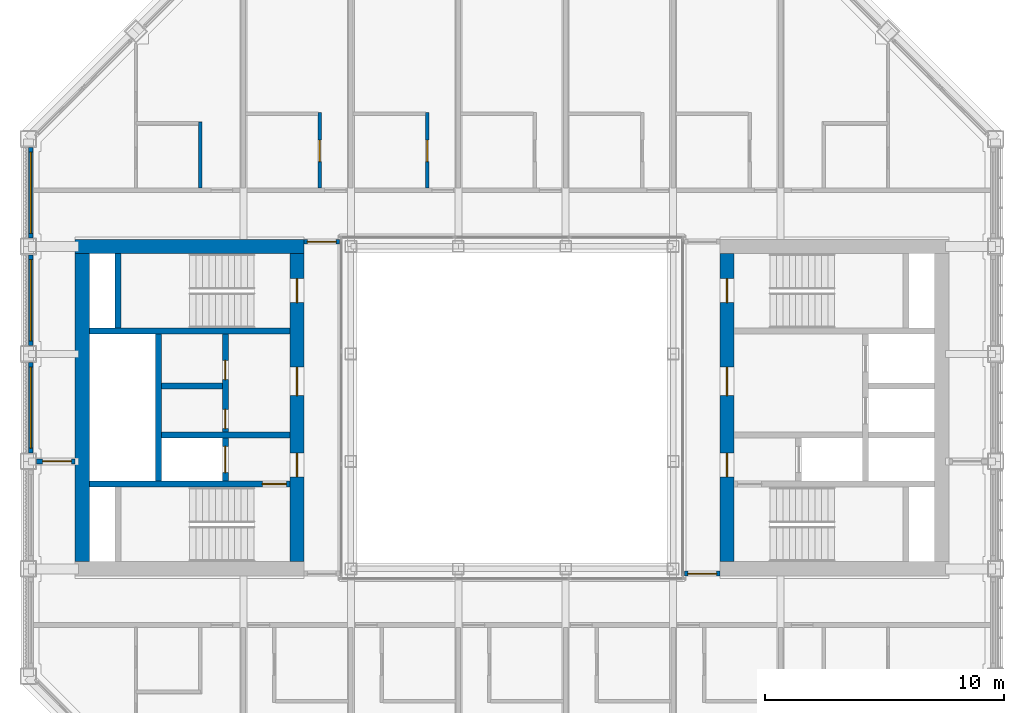
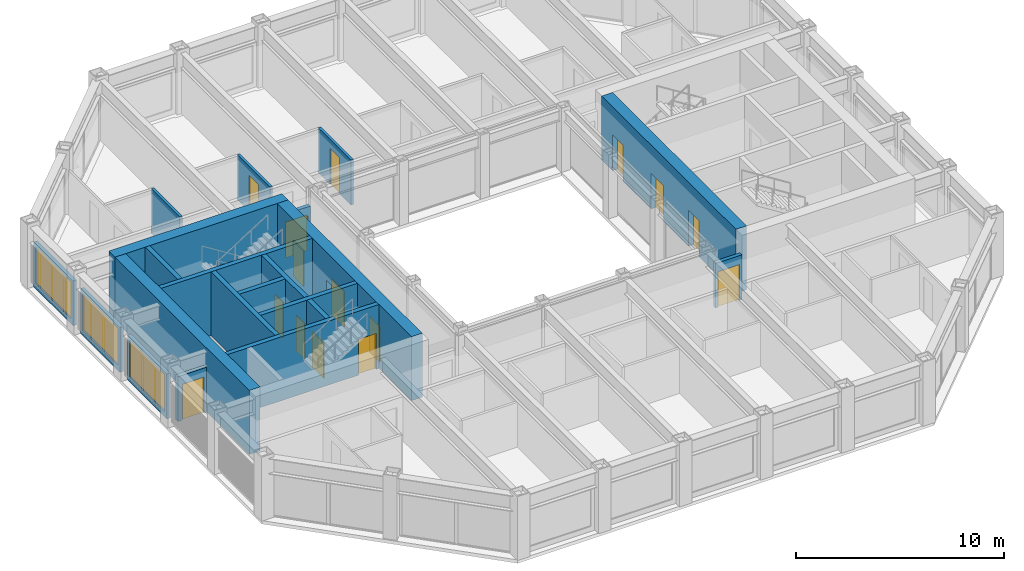
# One storey, part 10 of 18: 20 walls, 15 doors, 3 windows, 18 openings.
"""IFC4 building model written with IfcOpenShell, lengths in metres."""

from ifc_helpers import new_model, si_unit, direction, frame, frame_2d, origin, place, context, subcontext, project, spatial, rectangle, extrude, material, layer, layer_set, type_object, element, fill, save


model = new_model("IFC4")

# Units and contexts
model_context = context("Model", 3, precision=1e-05, world=origin(), true_north=direction((0.0, 1.0)))
body_context = subcontext(model_context, "Body", "Model", "MODEL_VIEW")
ifc_project = project(units=[si_unit("LENGTHUNIT", "METRE"), si_unit("AREAUNIT", "SQUARE_METRE"), si_unit("VOLUMEUNIT", "CUBIC_METRE"), si_unit("PLANEANGLEUNIT", "RADIAN"), si_unit("MASSUNIT", "GRAM", prefix="KILO")], contexts=[model_context])

# Site, building, storey
site_placement = place(None, origin())
site = spatial("IfcSite", under=ifc_project, at=site_placement, CompositionType="ELEMENT")
building_placement = place(site_placement, origin())
building = spatial("IfcBuilding", under=site, at=building_placement, Name="Msasa Ring Tower", CompositionType="ELEMENT")
storey_placement = place(building_placement, frame((0.0, 0.0, 208.300048828125)))
storey = spatial("IfcBuildingStorey", under=building, at=storey_placement, Name="L54", CompositionType="ELEMENT", Elevation=208.300048828125)

# Wall, openings, doors
ifc_material_1 = material(Name="Concrete C60/75", Category="concrete")
ifc_layer_1 = layer(ifc_material_1, 0.60009765625)
ifc_layer_set_1 = layer_set([ifc_layer_1], Name="CW3 CORE WALL 600")
wall_type_1 = type_object("IfcWallType", Name="CW3 CORE WALL 600", PredefinedType="SHEAR", material=ifc_layer_set_1)
wall_1_placement = place(storey_placement, frame((9.0, -6.449951171875, 0.0), z_axis=(0.0, 0.0, 1.0), x_axis=(0.0, 1.0, 0.0)))
wall_1 = element("IfcWall", 1, at=wall_1_placement, inside=storey, type_object=wall_type_1, Name="E core wall W L54", PredefinedType="SHEAR", context=body_context, shape_type="SweptSolid", body=[
    extrude(rectangle(XDim=12.89990234375, YDim=0.60009765625, at=frame_2d((6.449951171875, 0.0))), origin(), (0.0, 0.0, 1.0), 3.75),
])
opening_1_placement = place(wall_1_placement, frame((3.550048828125, 0.0, 0.0)))
opening_1 = element("IfcOpeningElement", 2, at=opening_1_placement, cuts=wall_1, Name="Opening SA-028", PredefinedType="OPENING", context=body_context, shape_type="SweptSolid", body=[
    extrude(rectangle(XDim=1.0, YDim=2.10009765625, at=frame_2d((0.5, 1.050048828125))), frame((0.0, 0.31005859375, 0.0), z_axis=(0.0, -1.0, 0.0), x_axis=(1.0, 0.0, 0.0)), (0.0, 0.0, 1.0), 0.6201171875),
])
opening_2_placement = place(wall_1_placement, frame((6.949951171875, 0.0, 0.0)))
opening_2 = element("IfcOpeningElement", 3, at=opening_2_placement, cuts=wall_1, Name="Opening SA-023", PredefinedType="OPENING", context=body_context, shape_type="SweptSolid", body=[
    extrude(rectangle(XDim=1.199951171875, YDim=2.10009765625, at=frame_2d((0.60009765625, 1.050048828125))), frame((0.0, 0.31005859375, 0.0), z_axis=(0.0, -1.0, 0.0), x_axis=(1.0, 0.0, 0.0)), (0.0, 0.0, 1.0), 0.6201171875),
])
opening_3_placement = place(wall_1_placement, frame((10.85009765625, 0.0, 0.0)))
opening_3 = element("IfcOpeningElement", 4, at=opening_3_placement, cuts=wall_1, Name="Opening SA-020", PredefinedType="OPENING", context=body_context, shape_type="SweptSolid", body=[
    extrude(rectangle(XDim=1.0, YDim=2.10009765625, at=frame_2d((0.5, 1.050048828125))), frame((0.0, 0.31005859375, 0.0), z_axis=(0.0, -1.0, 0.0), x_axis=(1.0, 0.0, 0.0)), (0.0, 0.0, 1.0), 0.6201171875),
])
ifc_material_2 = material(Name="Timber door leaf in a steel frame", Category="steel")
door_type_1 = type_object("IfcDoorType", Name="D4 LOBBY DOOR 1000x2100", OperationType="SINGLE_SWING_LEFT", PredefinedType="DOOR", material=ifc_material_2)
door_1_placement = place(opening_1_placement, origin())
door_1 = element("IfcDoor", 5, at=door_1_placement, inside=storey, type_object=door_type_1, Name="Door L54-EFFL", OperationType="SINGLE_SWING_LEFT", OverallHeight=2.10009765625, OverallWidth=1.0, PredefinedType="DOOR", context=body_context, shape_type="SweptSolid", body=[
    extrude(rectangle(XDim=1.0, YDim=2.10009765625, at=frame_2d((0.5, 1.050048828125))), frame((0.0, 0.02490234375, 0.0), z_axis=(0.0, -1.0, 0.0), x_axis=(1.0, 0.0, 0.0)), (0.0, 0.0, 1.0), 0.050048828125),
])
fill(opening_1, door_1)
ifc_material_3 = material(Name="Timber door leaf in a steel frame", Category="steel")
door_type_2 = type_object("IfcDoorType", Name="D5 WIDE LOBBY DOOR 1200x2100", OperationType="SINGLE_SWING_LEFT", PredefinedType="DOOR", material=ifc_material_3)
door_2_placement = place(opening_2_placement, origin())
door_2 = element("IfcDoor", 6, at=door_2_placement, inside=storey, type_object=door_type_2, Name="Door L54-ELL", OperationType="SINGLE_SWING_RIGHT", OverallHeight=2.10009765625, OverallWidth=1.199951171875, PredefinedType="DOOR", context=body_context, shape_type="SweptSolid", body=[
    extrude(rectangle(XDim=1.199951171875, YDim=2.10009765625, at=frame_2d((0.60009765625, 1.050048828125))), frame((0.0, 0.02490234375, 0.0), z_axis=(0.0, -1.0, 0.0), x_axis=(1.0, 0.0, 0.0)), (0.0, 0.0, 1.0), 0.050048828125),
])
fill(opening_2, door_2)
ifc_material_4 = material(Name="Timber door leaf in a steel frame", Category="steel")
door_type_3 = type_object("IfcDoorType", Name="D6 STAIR DOOR 1000x2100", OperationType="SINGLE_SWING_LEFT", PredefinedType="DOOR", material=ifc_material_4)
door_3_placement = place(opening_3_placement, origin())
door_3 = element("IfcDoor", 7, at=door_3_placement, inside=storey, type_object=door_type_3, Name="Door L54-ESTB", OperationType="SINGLE_SWING_RIGHT", OverallHeight=2.10009765625, OverallWidth=1.0, PredefinedType="DOOR", context=body_context, shape_type="SweptSolid", body=[
    extrude(rectangle(XDim=1.0, YDim=2.10009765625, at=frame_2d((0.5, 1.050048828125))), frame((0.0, 0.02490234375, 0.0), z_axis=(0.0, -1.0, 0.0), x_axis=(1.0, 0.0, 0.0)), (0.0, 0.0, 1.0), 0.050048828125),
])
fill(opening_3, door_3)

# Wall
wall_2_placement = place(storey_placement, frame((-8.699951171875, 6.75, 0.0), z_axis=(0.0, 0.0, 1.0), x_axis=(-1.0, 0.0, 0.0)))
element("IfcWall", 8, at=wall_2_placement, inside=storey, type_object=wall_type_1, Name="W core wall N L54", PredefinedType="SHEAR", context=body_context, shape_type="SweptSolid", body=[
    extrude(rectangle(XDim=9.60009765625, YDim=0.60009765625, at=frame_2d((4.800048828125, 0.0))), origin(), (0.0, 0.0, 1.0), 3.75),
])

# Wall, openings, doors
wall_3_placement = place(storey_placement, frame((-9.0, -6.449951171875, 0.0), z_axis=(0.0, 0.0, 1.0), x_axis=(0.0, 1.0, 0.0)))
wall_3 = element("IfcWall", 9, at=wall_3_placement, inside=storey, type_object=wall_type_1, Name="W core wall W L54", PredefinedType="SHEAR", context=body_context, shape_type="SweptSolid", body=[
    extrude(rectangle(XDim=12.89990234375, YDim=0.60009765625, at=frame_2d((6.449951171875, 0.0))), origin(), (0.0, 0.0, 1.0), 3.75),
])
opening_4_placement = place(wall_3_placement, frame((3.550048828125, 0.0, 0.0)))
opening_4 = element("IfcOpeningElement", 10, at=opening_4_placement, cuts=wall_3, Name="Opening SA-027", PredefinedType="OPENING", context=body_context, shape_type="SweptSolid", body=[
    extrude(rectangle(XDim=1.0, YDim=2.10009765625, at=frame_2d((0.5, 1.050048828125))), frame((0.0, 0.31005859375, 0.0), z_axis=(0.0, -1.0, 0.0), x_axis=(1.0, 0.0, 0.0)), (0.0, 0.0, 1.0), 0.6201171875),
])
opening_5_placement = place(wall_3_placement, frame((6.949951171875, 0.0, 0.0)))
opening_5 = element("IfcOpeningElement", 11, at=opening_5_placement, cuts=wall_3, Name="Opening SA-022", PredefinedType="OPENING", context=body_context, shape_type="SweptSolid", body=[
    extrude(rectangle(XDim=1.199951171875, YDim=2.10009765625, at=frame_2d((0.60009765625, 1.050048828125))), frame((0.0, 0.31005859375, 0.0), z_axis=(0.0, -1.0, 0.0), x_axis=(1.0, 0.0, 0.0)), (0.0, 0.0, 1.0), 0.6201171875),
])
opening_6_placement = place(wall_3_placement, frame((10.85009765625, 0.0, 0.0)))
opening_6 = element("IfcOpeningElement", 12, at=opening_6_placement, cuts=wall_3, Name="Opening SA-019", PredefinedType="OPENING", context=body_context, shape_type="SweptSolid", body=[
    extrude(rectangle(XDim=1.0, YDim=2.10009765625, at=frame_2d((0.5, 1.050048828125))), frame((0.0, 0.31005859375, 0.0), z_axis=(0.0, -1.0, 0.0), x_axis=(1.0, 0.0, 0.0)), (0.0, 0.0, 1.0), 0.6201171875),
])
door_4_placement = place(opening_4_placement, origin())
door_4 = element("IfcDoor", 13, at=door_4_placement, inside=storey, type_object=door_type_1, Name="Door L54-WFFL", OperationType="SINGLE_SWING_LEFT", OverallHeight=2.10009765625, OverallWidth=1.0, PredefinedType="DOOR", context=body_context, shape_type="SweptSolid", body=[
    extrude(rectangle(XDim=1.0, YDim=2.10009765625, at=frame_2d((0.5, 1.050048828125))), frame((0.0, 0.02490234375, 0.0), z_axis=(0.0, -1.0, 0.0), x_axis=(1.0, 0.0, 0.0)), (0.0, 0.0, 1.0), 0.050048828125),
])
fill(opening_4, door_4)
door_5_placement = place(opening_5_placement, origin())
door_5 = element("IfcDoor", 14, at=door_5_placement, inside=storey, type_object=door_type_2, Name="Door L54-WLL", OperationType="SINGLE_SWING_RIGHT", OverallHeight=2.10009765625, OverallWidth=1.199951171875, PredefinedType="DOOR", context=body_context, shape_type="SweptSolid", body=[
    extrude(rectangle(XDim=1.199951171875, YDim=2.10009765625, at=frame_2d((0.60009765625, 1.050048828125))), frame((0.0, 0.02490234375, 0.0), z_axis=(0.0, -1.0, 0.0), x_axis=(1.0, 0.0, 0.0)), (0.0, 0.0, 1.0), 0.050048828125),
])
fill(opening_5, door_5)
door_6_placement = place(opening_6_placement, origin())
door_6 = element("IfcDoor", 15, at=door_6_placement, inside=storey, type_object=door_type_3, Name="Door L54-WSTB", OperationType="SINGLE_SWING_RIGHT", OverallHeight=2.10009765625, OverallWidth=1.0, PredefinedType="DOOR", context=body_context, shape_type="SweptSolid", body=[
    extrude(rectangle(XDim=1.0, YDim=2.10009765625, at=frame_2d((0.5, 1.050048828125))), frame((0.0, 0.02490234375, 0.0), z_axis=(0.0, -1.0, 0.0), x_axis=(1.0, 0.0, 0.0)), (0.0, 0.0, 1.0), 0.050048828125),
])
fill(opening_6, door_6)

# Wall
wall_4_placement = place(storey_placement, frame((-18.0, -6.449951171875, 0.0), z_axis=(0.0, 0.0, 1.0), x_axis=(0.0, 1.0, 0.0)))
element("IfcWall", 16, at=wall_4_placement, inside=storey, type_object=wall_type_1, Name="W core wall E L54", PredefinedType="SHEAR", context=body_context, shape_type="SweptSolid", body=[
    extrude(rectangle(XDim=12.89990234375, YDim=0.60009765625, at=frame_2d((6.449951171875, 0.0))), origin(), (0.0, 0.0, 1.0), 3.75),
])

# Wall, opening, door
ifc_material_5 = material(Name="Concrete C60/75", Category="concrete")
ifc_layer_2 = layer(ifc_material_5, 0.25)
ifc_layer_set_2 = layer_set([ifc_layer_2], Name="CW4 CORE INNER WALL 250")
wall_type_2 = type_object("IfcWallType", Name="CW4 CORE INNER WALL 250", PredefinedType="SHEAR", material=ifc_layer_set_2)
wall_5_placement = place(storey_placement, frame((-9.300048828125, -3.199951171875, 0.0), z_axis=(0.0, 0.0, 1.0), x_axis=(-1.0, 0.0, 0.0)))
wall_5 = element("IfcWall", 17, at=wall_5_placement, inside=storey, type_object=wall_type_2, Name="W core wall STAIRA L54", PredefinedType="SHEAR", context=body_context, shape_type="SweptSolid", body=[
    extrude(rectangle(XDim=8.39990234375, YDim=0.25, at=frame_2d((4.199951171875, 0.0))), origin(), (0.0, 0.0, 1.0), 3.75),
])
opening_7_placement = place(wall_5_placement, frame((0.14990234375, 0.0, 0.0)))
opening_7 = element("IfcOpeningElement", 18, at=opening_7_placement, cuts=wall_5, Name="Opening SA-029", PredefinedType="OPENING", context=body_context, shape_type="SweptSolid", body=[
    extrude(rectangle(XDim=1.0, YDim=2.10009765625, at=frame_2d((0.5, 1.050048828125))), frame((0.0, 0.135009765625, 0.0), z_axis=(0.0, -1.0, 0.0), x_axis=(1.0, 0.0, 0.0)), (0.0, 0.0, 1.0), 0.27001953125),
])
door_7_placement = place(opening_7_placement, origin())
door_7 = element("IfcDoor", 19, at=door_7_placement, inside=storey, type_object=door_type_3, Name="Door L54-WSTA", OperationType="SINGLE_SWING_LEFT", OverallHeight=2.10009765625, OverallWidth=1.0, PredefinedType="DOOR", context=body_context, shape_type="SweptSolid", body=[
    extrude(rectangle(XDim=1.0, YDim=2.10009765625, at=frame_2d((0.5, 1.050048828125))), frame((0.0, 0.02490234375, 0.0), z_axis=(0.0, -1.0, 0.0), x_axis=(1.0, 0.0, 0.0)), (0.0, 0.0, 1.0), 0.050048828125),
])
fill(opening_7, door_7)

# Walls
wall_6_placement = place(storey_placement, frame((-9.300048828125, 3.199951171875, 0.0), z_axis=(0.0, 0.0, 1.0), x_axis=(-1.0, 0.0, 0.0)))
element("IfcWall", 20, at=wall_6_placement, inside=storey, type_object=wall_type_2, Name="W core wall STAIRB L54", PredefinedType="SHEAR", context=body_context, shape_type="SweptSolid", body=[
    extrude(rectangle(XDim=8.39990234375, YDim=0.25, at=frame_2d((4.199951171875, 0.0))), origin(), (0.0, 0.0, 1.0), 3.75),
])
wall_7_placement = place(storey_placement, frame((-16.5, 3.324951171875, 0.0), z_axis=(0.0, 0.0, 1.0), x_axis=(0.0, 1.0, 0.0)))
element("IfcWall", 21, at=wall_7_placement, inside=storey, type_object=wall_type_2, Name="W core wall RISERB L54", PredefinedType="SHEAR", context=body_context, shape_type="SweptSolid", body=[
    extrude(rectangle(XDim=3.125, YDim=0.25, at=frame_2d((1.5625, 0.0))), origin(), (0.0, 0.0, 1.0), 3.75),
])
wall_8_placement = place(storey_placement, frame((-9.300048828125, -1.14990234375, 0.0), z_axis=(0.0, 0.0, 1.0), x_axis=(-1.0, 0.0, 0.0)))
element("IfcWall", 22, at=wall_8_placement, inside=storey, type_object=wall_type_2, Name="W core wall FFL L54", PredefinedType="SHEAR", context=body_context, shape_type="SweptSolid", body=[
    extrude(rectangle(XDim=5.375, YDim=0.25, at=frame_2d((2.6875, 0.0))), origin(), (0.0, 0.0, 1.0), 3.75),
])

# Wall, openings, doors
wall_9_placement = place(storey_placement, frame((-12.0, -3.074951171875, 0.0), z_axis=(0.0, 0.0, 1.0), x_axis=(0.0, 1.0, 0.0)))
wall_9 = element("IfcWall", 23, at=wall_9_placement, inside=storey, type_object=wall_type_2, Name="W core wall LOBBY L54", PredefinedType="SHEAR", context=body_context, shape_type="SweptSolid", body=[
    extrude(rectangle(XDim=6.14990234375, YDim=0.25, at=frame_2d((3.074951171875, 0.0))), origin(), (0.0, 0.0, 1.0), 3.75),
])
opening_8_placement = place(wall_9_placement, frame((2.199951171875, 0.0, 0.0)))
opening_8 = element("IfcOpeningElement", 24, at=opening_8_placement, cuts=wall_9, Name="Opening SA-024", PredefinedType="OPENING", context=body_context, shape_type="SweptSolid", body=[
    extrude(rectangle(XDim=0.800048828125, YDim=2.10009765625, at=frame_2d((0.39990234375, 1.050048828125))), frame((0.0, 0.135009765625, 0.0), z_axis=(0.0, -1.0, 0.0), x_axis=(1.0, 0.0, 0.0)), (0.0, 0.0, 1.0), 0.27001953125),
])
opening_9_placement = place(wall_9_placement, frame((4.25, 0.0, 0.0)))
opening_9 = element("IfcOpeningElement", 25, at=opening_9_placement, cuts=wall_9, Name="Opening SA-021", PredefinedType="OPENING", context=body_context, shape_type="SweptSolid", body=[
    extrude(rectangle(XDim=0.800048828125, YDim=2.10009765625, at=frame_2d((0.39990234375, 1.050048828125))), frame((0.0, 0.135009765625, 0.0), z_axis=(0.0, -1.0, 0.0), x_axis=(1.0, 0.0, 0.0)), (0.0, 0.0, 1.0), 0.27001953125),
])
opening_10_placement = place(wall_9_placement, frame((0.35009765625, 0.0, 0.0)))
opening_10 = element("IfcOpeningElement", 26, at=opening_10_placement, cuts=wall_9, Name="Opening LD1", PredefinedType="OPENING", context=body_context, shape_type="SweptSolid", body=[
    extrude(rectangle(XDim=1.10009765625, YDim=2.10009765625, at=frame_2d((0.550048828125, 1.050048828125))), frame((0.0, 0.135009765625, 0.0), z_axis=(0.0, -1.0, 0.0), x_axis=(1.0, 0.0, 0.0)), (0.0, 0.0, 1.0), 0.27001953125),
])
ifc_material_6 = material(Name="Timber door leaf in a steel frame", Category="steel")
door_type_4 = type_object("IfcDoorType", Name="D9 NARROW SERVICE DOOR 800x2100", OperationType="SINGLE_SWING_LEFT", PredefinedType="DOOR", material=ifc_material_6)
door_8_placement = place(opening_8_placement, origin())
door_8 = element("IfcDoor", 27, at=door_8_placement, inside=storey, type_object=door_type_4, Name="Door L54-WR1", OperationType="SINGLE_SWING_LEFT", OverallHeight=2.10009765625, OverallWidth=0.800048828125, PredefinedType="DOOR", context=body_context, shape_type="SweptSolid", body=[
    extrude(rectangle(XDim=0.800048828125, YDim=2.10009765625, at=frame_2d((0.39990234375, 1.050048828125))), frame((0.0, 0.02490234375, 0.0), z_axis=(0.0, -1.0, 0.0), x_axis=(1.0, 0.0, 0.0)), (0.0, 0.0, 1.0), 0.050048828125),
])
fill(opening_8, door_8)
door_9_placement = place(opening_9_placement, origin())
door_9 = element("IfcDoor", 28, at=door_9_placement, inside=storey, type_object=door_type_4, Name="Door L54-WR2", OperationType="SINGLE_SWING_RIGHT", OverallHeight=2.10009765625, OverallWidth=0.800048828125, PredefinedType="DOOR", context=body_context, shape_type="SweptSolid", body=[
    extrude(rectangle(XDim=0.800048828125, YDim=2.10009765625, at=frame_2d((0.39990234375, 1.050048828125))), frame((0.0, 0.02490234375, 0.0), z_axis=(0.0, -1.0, 0.0), x_axis=(1.0, 0.0, 0.0)), (0.0, 0.0, 1.0), 0.050048828125),
])
fill(opening_9, door_9)
ifc_material_7 = material(Name="Stainless steel lift landing door", Category="steel")
door_type_5 = type_object("IfcDoorType", Name="LD1 LIFT LANDING DOOR 1100x2100", OperationType="DOUBLE_DOOR_SLIDING", PredefinedType="DOOR", material=ifc_material_7)
door_10_placement = place(opening_10_placement, origin())
door_10 = element("IfcDoor", 29, at=door_10_placement, inside=storey, type_object=door_type_5, Name="Lift landing door FL-W L54", OperationType="DOUBLE_DOOR_SLIDING", OverallHeight=2.10009765625, OverallWidth=1.10009765625, PredefinedType="DOOR", context=body_context, shape_type="SweptSolid", body=[
    extrude(rectangle(XDim=1.10009765625, YDim=2.10009765625, at=frame_2d((0.550048828125, 1.050048828125))), frame((0.0, 0.02490234375, 0.0), z_axis=(0.0, -1.0, 0.0), x_axis=(1.0, 0.0, 0.0)), (0.0, 0.0, 1.0), 0.050048828125),
])
fill(opening_10, door_10)

# Walls
wall_10_placement = place(storey_placement, frame((-14.800048828125, -3.074951171875, 0.0), z_axis=(0.0, 0.0, 1.0), x_axis=(0.0, 1.0, 0.0)))
element("IfcWall", 30, at=wall_10_placement, inside=storey, type_object=wall_type_2, Name="W core wall SHAFT L54", PredefinedType="SHEAR", context=body_context, shape_type="SweptSolid", body=[
    extrude(rectangle(XDim=6.14990234375, YDim=0.25, at=frame_2d((3.074951171875, 0.0))), origin(), (0.0, 0.0, 1.0), 3.75),
])
wall_11_placement = place(storey_placement, frame((-12.125, 0.89990234375, 0.0), z_axis=(0.0, 0.0, 1.0), x_axis=(-1.0, 0.0, 0.0)))
element("IfcWall", 31, at=wall_11_placement, inside=storey, type_object=wall_type_2, Name="W core wall LIFT1 L54", PredefinedType="SHEAR", context=body_context, shape_type="SweptSolid", body=[
    extrude(rectangle(XDim=2.550048828125, YDim=0.25, at=frame_2d((1.27490234375, 0.0))), origin(), (0.0, 0.0, 1.0), 3.75),
])

# Wall, opening, window
ifc_material_8 = material(Name="Terracotta rainscreen on blockwork", Category="masonry")
ifc_layer_3 = layer(ifc_material_8, 0.199951171875)
ifc_layer_set_3 = layer_set([ifc_layer_3], Name="FW1 TERRACOTTA-LINED INFILL BAY WALL 200")
wall_type_3 = type_object("IfcWallType", Name="FW1 TERRACOTTA-LINED INFILL BAY WALL 200", PredefinedType="SOLIDWALL", material=ifc_layer_set_3)
wall_12_placement = place(storey_placement, frame((-20.14990234375, -1.89501953125, 0.0), z_axis=(0.0, 0.0, 1.0), x_axis=(0.0, 1.0, 0.0)))
wall_12 = element("IfcWall", 32, at=wall_12_placement, inside=storey, type_object=wall_type_3, Name="Infill bay wall W L54 23", PredefinedType="SOLIDWALL", context=body_context, shape_type="SweptSolid", body=[
    extrude(rectangle(XDim=3.7900390625, YDim=0.199951171875, at=frame_2d((1.89501953125, 0.0))), origin(), (0.0, 0.0, 1.0), 2.62890625),
])
opening_11_placement = place(wall_12_placement, frame((0.195068359375, 0.0, 0.300048828125)))
opening_11 = element("IfcOpeningElement", 33, at=opening_11_placement, cuts=wall_12, Name="Opening WN3", PredefinedType="OPENING", context=body_context, shape_type="SweptSolid", body=[
    extrude(rectangle(XDim=3.39990234375, YDim=2.178955078125, at=frame_2d((1.699951171875, 1.08935546875))), frame((0.0, 0.10986328125, 0.0), z_axis=(0.0, -1.0, 0.0), x_axis=(1.0, 0.0, 0.0)), (0.0, 0.0, 1.0), 0.219970703125),
])
ifc_material_9 = material(Name="Aluminium frame with clear glass", Category="aluminium")
window_type = type_object("IfcWindowType", Name="WN3 SUITE WINDOW 3400x2179", PartitioningType="SINGLE_PANEL", PredefinedType="WINDOW", material=ifc_material_9)
window_1_placement = place(opening_11_placement, origin())
window_1 = element("IfcWindow", 34, at=window_1_placement, inside=storey, type_object=window_type, Name="Window W L54 23", OverallHeight=2.178955078125, OverallWidth=3.39990234375, PartitioningType="SINGLE_PANEL", PredefinedType="WINDOW", context=body_context, shape_type="SweptSolid", body=[
    extrude(rectangle(XDim=3.39990234375, YDim=2.178955078125, at=frame_2d((1.699951171875, 1.08935546875))), frame((0.0, 0.030029296875, 0.0), z_axis=(0.0, -1.0, 0.0), x_axis=(1.0, 0.0, 0.0)), (0.0, 0.0, 1.0), 0.06005859375),
])
fill(opening_11, window_1)

wall_13_placement = place(storey_placement, frame((-20.14990234375, 2.60498046875, 0.0), z_axis=(0.0, 0.0, 1.0), x_axis=(0.0, 1.0, 0.0)))
wall_13 = element("IfcWall", 35, at=wall_13_placement, inside=storey, type_object=wall_type_3, Name="Infill bay wall W L54 24", PredefinedType="SOLIDWALL", context=body_context, shape_type="SweptSolid", body=[
    extrude(rectangle(XDim=3.7900390625, YDim=0.199951171875, at=frame_2d((1.89501953125, 0.0))), origin(), (0.0, 0.0, 1.0), 2.62890625),
])
opening_12_placement = place(wall_13_placement, frame((0.195068359375, 0.0, 0.300048828125)))
opening_12 = element("IfcOpeningElement", 36, at=opening_12_placement, cuts=wall_13, Name="Opening WN3", PredefinedType="OPENING", context=body_context, shape_type="SweptSolid", body=[
    extrude(rectangle(XDim=3.39990234375, YDim=2.178955078125, at=frame_2d((1.699951171875, 1.08935546875))), frame((0.0, 0.10986328125, 0.0), z_axis=(0.0, -1.0, 0.0), x_axis=(1.0, 0.0, 0.0)), (0.0, 0.0, 1.0), 0.219970703125),
])
window_2_placement = place(opening_12_placement, origin())
window_2 = element("IfcWindow", 37, at=window_2_placement, inside=storey, type_object=window_type, Name="Window W L54 24", OverallHeight=2.178955078125, OverallWidth=3.39990234375, PartitioningType="SINGLE_PANEL", PredefinedType="WINDOW", context=body_context, shape_type="SweptSolid", body=[
    extrude(rectangle(XDim=3.39990234375, YDim=2.178955078125, at=frame_2d((1.699951171875, 1.08935546875))), frame((0.0, 0.030029296875, 0.0), z_axis=(0.0, -1.0, 0.0), x_axis=(1.0, 0.0, 0.0)), (0.0, 0.0, 1.0), 0.06005859375),
])
fill(opening_12, window_2)

wall_14_placement = place(storey_placement, frame((-20.14990234375, 7.10498046875, 0.0), z_axis=(0.0, 0.0, 1.0), x_axis=(0.0, 1.0, 0.0)))
wall_14 = element("IfcWall", 38, at=wall_14_placement, inside=storey, type_object=wall_type_3, Name="Infill bay wall W L54 25", PredefinedType="SOLIDWALL", context=body_context, shape_type="SweptSolid", body=[
    extrude(rectangle(XDim=3.7900390625, YDim=0.199951171875, at=frame_2d((1.89501953125, 0.0))), origin(), (0.0, 0.0, 1.0), 2.62890625),
])
opening_13_placement = place(wall_14_placement, frame((0.195068359375, 0.0, 0.300048828125)))
opening_13 = element("IfcOpeningElement", 39, at=opening_13_placement, cuts=wall_14, Name="Opening WN3", PredefinedType="OPENING", context=body_context, shape_type="SweptSolid", body=[
    extrude(rectangle(XDim=3.39990234375, YDim=2.178955078125, at=frame_2d((1.699951171875, 1.08935546875))), frame((0.0, 0.10986328125, 0.0), z_axis=(0.0, -1.0, 0.0), x_axis=(1.0, 0.0, 0.0)), (0.0, 0.0, 1.0), 0.219970703125),
])
window_3_placement = place(opening_13_placement, origin())
window_3 = element("IfcWindow", 40, at=window_3_placement, inside=storey, type_object=window_type, Name="Window W L54 25", OverallHeight=2.178955078125, OverallWidth=3.39990234375, PartitioningType="SINGLE_PANEL", PredefinedType="WINDOW", context=body_context, shape_type="SweptSolid", body=[
    extrude(rectangle(XDim=3.39990234375, YDim=2.178955078125, at=frame_2d((1.699951171875, 1.08935546875))), frame((0.0, 0.030029296875, 0.0), z_axis=(0.0, -1.0, 0.0), x_axis=(1.0, 0.0, 0.0)), (0.0, 0.0, 1.0), 0.06005859375),
])
fill(opening_13, window_3)

# Wall, opening, door
ifc_material_10 = material(Name="Concrete blockwork", Category="masonry")
ifc_layer_4 = layer(ifc_material_10, 0.199951171875)
ifc_layer_set_4 = layer_set([ifc_layer_4], Name="PT1 CORRIDOR WALL 200")
wall_type_4 = type_object("IfcWallType", Name="PT1 CORRIDOR WALL 200", PredefinedType="PARTITIONING", material=ifc_layer_set_4)
wall_15_placement = place(storey_placement, frame((-19.89990234375, -2.25, 0.0), z_axis=(0.0, 0.0, 1.0), x_axis=(1.0, 0.0, 0.0)))
wall_15 = element("IfcWall", 41, at=wall_15_placement, inside=storey, type_object=wall_type_4, Name="Corridor wall L54-WSW", PredefinedType="PARTITIONING", context=body_context, shape_type="SweptSolid", body=[
    extrude(rectangle(XDim=1.599853515625, YDim=0.199951171875, at=frame_2d((0.7998046875, 0.0))), origin(), (0.0, 0.0, 1.0), 2.62890625),
])
opening_14_placement = place(wall_15_placement, frame((0.25, 0.0, 0.0)))
opening_14 = element("IfcOpeningElement", 42, at=opening_14_placement, cuts=wall_15, Name="Opening SA-025", PredefinedType="OPENING", context=body_context, shape_type="SweptSolid", body=[
    extrude(rectangle(XDim=1.199951171875, YDim=2.10009765625, at=frame_2d((0.60009765625, 1.050048828125))), frame((0.0, 0.10986328125, 0.0), z_axis=(0.0, -1.0, 0.0), x_axis=(1.0, 0.0, 0.0)), (0.0, 0.0, 1.0), 0.219970703125),
])
ifc_material_11 = material(Name="Timber door leaf in a steel frame", Category="steel")
door_type_6 = type_object("IfcDoorType", Name="D25 CORRIDOR PAIR OF SMOKE DOORS 1200x2100", OperationType="DOUBLE_DOOR_DOUBLE_SWING", PredefinedType="DOOR", material=ifc_material_11)
door_11_placement = place(opening_14_placement, origin())
door_11 = element("IfcDoor", 43, at=door_11_placement, inside=storey, type_object=door_type_6, Name="Door L54-WSW", OperationType="DOUBLE_DOOR_DOUBLE_SWING", OverallHeight=2.10009765625, OverallWidth=1.199951171875, PredefinedType="DOOR", context=body_context, shape_type="SweptSolid", body=[
    extrude(rectangle(XDim=1.199951171875, YDim=2.10009765625, at=frame_2d((0.60009765625, 1.050048828125))), frame((0.0, 0.02490234375, 0.0), z_axis=(0.0, -1.0, 0.0), x_axis=(1.0, 0.0, 0.0)), (0.0, 0.0, 1.0), 0.050048828125),
])
fill(opening_14, door_11)

wall_16_placement = place(storey_placement, frame((7.22998046875, -6.949951171875, 0.0), z_axis=(0.0, 0.0, 1.0), x_axis=(1.0, 0.0, 0.0)))
wall_16 = element("IfcWall", 44, at=wall_16_placement, inside=storey, type_object=wall_type_4, Name="Corridor wall L54-SDES", PredefinedType="PARTITIONING", context=body_context, shape_type="SweptSolid", body=[
    extrude(rectangle(XDim=1.469970703125, YDim=0.199951171875, at=frame_2d((0.73486328125, 0.0))), origin(), (0.0, 0.0, 1.0), 2.62890625),
])
opening_15_placement = place(wall_16_placement, frame((0.135009765625, 0.0, 0.0)))
opening_15 = element("IfcOpeningElement", 45, at=opening_15_placement, cuts=wall_16, Name="Opening SA-032", PredefinedType="OPENING", context=body_context, shape_type="SweptSolid", body=[
    extrude(rectangle(XDim=1.199951171875, YDim=2.10009765625, at=frame_2d((0.60009765625, 1.050048828125))), frame((0.0, 0.10986328125, 0.0), z_axis=(0.0, -1.0, 0.0), x_axis=(1.0, 0.0, 0.0)), (0.0, 0.0, 1.0), 0.219970703125),
])
door_12_placement = place(opening_15_placement, origin())
door_12 = element("IfcDoor", 46, at=door_12_placement, inside=storey, type_object=door_type_6, Name="Door L54-SDES", OperationType="DOUBLE_DOOR_DOUBLE_SWING", OverallHeight=2.10009765625, OverallWidth=1.199951171875, PredefinedType="DOOR", context=body_context, shape_type="SweptSolid", body=[
    extrude(rectangle(XDim=1.199951171875, YDim=2.10009765625, at=frame_2d((0.60009765625, 1.050048828125))), frame((0.0, 0.02490234375, 0.0), z_axis=(0.0, -1.0, 0.0), x_axis=(1.0, 0.0, 0.0)), (0.0, 0.0, 1.0), 0.050048828125),
])
fill(opening_15, door_12)

wall_17_placement = place(storey_placement, frame((-8.699951171875, 6.949951171875, 0.0), z_axis=(0.0, 0.0, 1.0), x_axis=(1.0, 0.0, 0.0)))
wall_17 = element("IfcWall", 47, at=wall_17_placement, inside=storey, type_object=wall_type_4, Name="Corridor wall L54-SDWN", PredefinedType="PARTITIONING", context=body_context, shape_type="SweptSolid", body=[
    extrude(rectangle(XDim=1.469970703125, YDim=0.199951171875, at=frame_2d((0.73486328125, 0.0))), origin(), (0.0, 0.0, 1.0), 2.62890625),
])
opening_16_placement = place(wall_17_placement, frame((0.135009765625, 0.0, 0.0)))
opening_16 = element("IfcOpeningElement", 48, at=opening_16_placement, cuts=wall_17, Name="Opening SA-017", PredefinedType="OPENING", context=body_context, shape_type="SweptSolid", body=[
    extrude(rectangle(XDim=1.199951171875, YDim=2.10009765625, at=frame_2d((0.60009765625, 1.050048828125))), frame((0.0, 0.10986328125, 0.0), z_axis=(0.0, -1.0, 0.0), x_axis=(1.0, 0.0, 0.0)), (0.0, 0.0, 1.0), 0.219970703125),
])
door_13_placement = place(opening_16_placement, origin())
door_13 = element("IfcDoor", 49, at=door_13_placement, inside=storey, type_object=door_type_6, Name="Door L54-SDWN", OperationType="DOUBLE_DOOR_DOUBLE_SWING", OverallHeight=2.10009765625, OverallWidth=1.199951171875, PredefinedType="DOOR", context=body_context, shape_type="SweptSolid", body=[
    extrude(rectangle(XDim=1.199951171875, YDim=2.10009765625, at=frame_2d((0.60009765625, 1.050048828125))), frame((0.0, 0.02490234375, 0.0), z_axis=(0.0, -1.0, 0.0), x_axis=(1.0, 0.0, 0.0)), (0.0, 0.0, 1.0), 0.050048828125),
])
fill(opening_16, door_13)

ifc_material_12 = material(Name="Moisture-resistant board on steel studs with a concealed cistern and pipe void, tiled", Category="steel")
ifc_layer_5 = layer(ifc_material_12, 0.14990234375)
ifc_layer_set_5 = layer_set([ifc_layer_5], Name="PT4 BATHROOM WET WALL 150")
wall_type_5 = type_object("IfcWallType", Name="PT4 BATHROOM WET WALL 150", PredefinedType="PARTITIONING", material=ifc_layer_set_5)
wall_18_placement = place(storey_placement, frame((-8.050048828125, 9.199951171875, 0.0), z_axis=(0.0, 0.0, 1.0), x_axis=(0.0, 1.0, 0.0)))
wall_18 = element("IfcWall", 50, at=wall_18_placement, inside=storey, type_object=wall_type_5, Name="Partition L54-JN00BX", PredefinedType="PARTITIONING", context=body_context, shape_type="SweptSolid", body=[
    extrude(rectangle(XDim=3.150146484375, YDim=0.14990234375, at=frame_2d((1.5751953125, 0.0))), origin(), (0.0, 0.0, 1.0), 2.62890625),
])
opening_17_placement = place(wall_18_placement, frame((1.10009765625, 0.0, 0.0)))
opening_17 = element("IfcOpeningElement", 51, at=opening_17_placement, cuts=wall_18, Name="Opening SA-003", PredefinedType="OPENING", context=body_context, shape_type="SweptSolid", body=[
    extrude(rectangle(XDim=0.89990234375, YDim=2.10009765625, at=frame_2d((0.449951171875, 1.050048828125))), frame((0.0, 0.0849609375, 0.0), z_axis=(0.0, -1.0, 0.0), x_axis=(1.0, 0.0, 0.0)), (0.0, 0.0, 1.0), 0.169921875),
])
ifc_material_13 = material(Name="Timber door leaf in a steel frame", Category="steel")
door_type_7 = type_object("IfcDoorType", Name="D3 BATHROOM DOOR 900x2100", OperationType="SINGLE_SWING_LEFT", PredefinedType="DOOR", material=ifc_material_13)
door_14_placement = place(opening_17_placement, origin())
door_14 = element("IfcDoor", 52, at=door_14_placement, inside=storey, type_object=door_type_7, Name="Door L54-JN00B", OperationType="SINGLE_SWING_LEFT", OverallHeight=2.10009765625, OverallWidth=0.89990234375, PredefinedType="DOOR", context=body_context, shape_type="SweptSolid", body=[
    extrude(rectangle(XDim=0.89990234375, YDim=2.10009765625, at=frame_2d((0.449951171875, 1.050048828125))), frame((0.0, 0.02490234375, 0.0), z_axis=(0.0, -1.0, 0.0), x_axis=(1.0, 0.0, 0.0)), (0.0, 0.0, 1.0), 0.050048828125),
])
fill(opening_17, door_14)

wall_19_placement = place(storey_placement, frame((-3.550048828125, 9.199951171875, 0.0), z_axis=(0.0, 0.0, 1.0), x_axis=(0.0, 1.0, 0.0)))
wall_19 = element("IfcWall", 53, at=wall_19_placement, inside=storey, type_object=wall_type_5, Name="Partition L54-JN01BX", PredefinedType="PARTITIONING", context=body_context, shape_type="SweptSolid", body=[
    extrude(rectangle(XDim=3.150146484375, YDim=0.14990234375, at=frame_2d((1.5751953125, 0.0))), origin(), (0.0, 0.0, 1.0), 2.62890625),
])
opening_18_placement = place(wall_19_placement, frame((1.10009765625, 0.0, 0.0)))
opening_18 = element("IfcOpeningElement", 54, at=opening_18_placement, cuts=wall_19, Name="Opening SA-004", PredefinedType="OPENING", context=body_context, shape_type="SweptSolid", body=[
    extrude(rectangle(XDim=0.89990234375, YDim=2.10009765625, at=frame_2d((0.449951171875, 1.050048828125))), frame((0.0, 0.0849609375, 0.0), z_axis=(0.0, -1.0, 0.0), x_axis=(1.0, 0.0, 0.0)), (0.0, 0.0, 1.0), 0.169921875),
])
door_15_placement = place(opening_18_placement, origin())
door_15 = element("IfcDoor", 55, at=door_15_placement, inside=storey, type_object=door_type_7, Name="Door L54-JN01B", OperationType="SINGLE_SWING_LEFT", OverallHeight=2.10009765625, OverallWidth=0.89990234375, PredefinedType="DOOR", context=body_context, shape_type="SweptSolid", body=[
    extrude(rectangle(XDim=0.89990234375, YDim=2.10009765625, at=frame_2d((0.449951171875, 1.050048828125))), frame((0.0, 0.02490234375, 0.0), z_axis=(0.0, -1.0, 0.0), x_axis=(1.0, 0.0, 0.0)), (0.0, 0.0, 1.0), 0.050048828125),
])
fill(opening_18, door_15)

# Wall
wall_20_placement = place(storey_placement, frame((-13.050048828125, 9.199951171875, 0.0), z_axis=(0.0, 0.0, 1.0), x_axis=(0.0, 1.0, 0.0)))
element("IfcWall", 56, at=wall_20_placement, inside=storey, type_object=wall_type_5, Name="Partition L54-CSNWBX", PredefinedType="PARTITIONING", context=body_context, shape_type="SweptSolid", body=[
    extrude(rectangle(XDim=2.75, YDim=0.14990234375, at=frame_2d((1.375, 0.0))), origin(), (0.0, 0.0, 1.0), 2.62890625),
])

save(model, "model.ifc")
